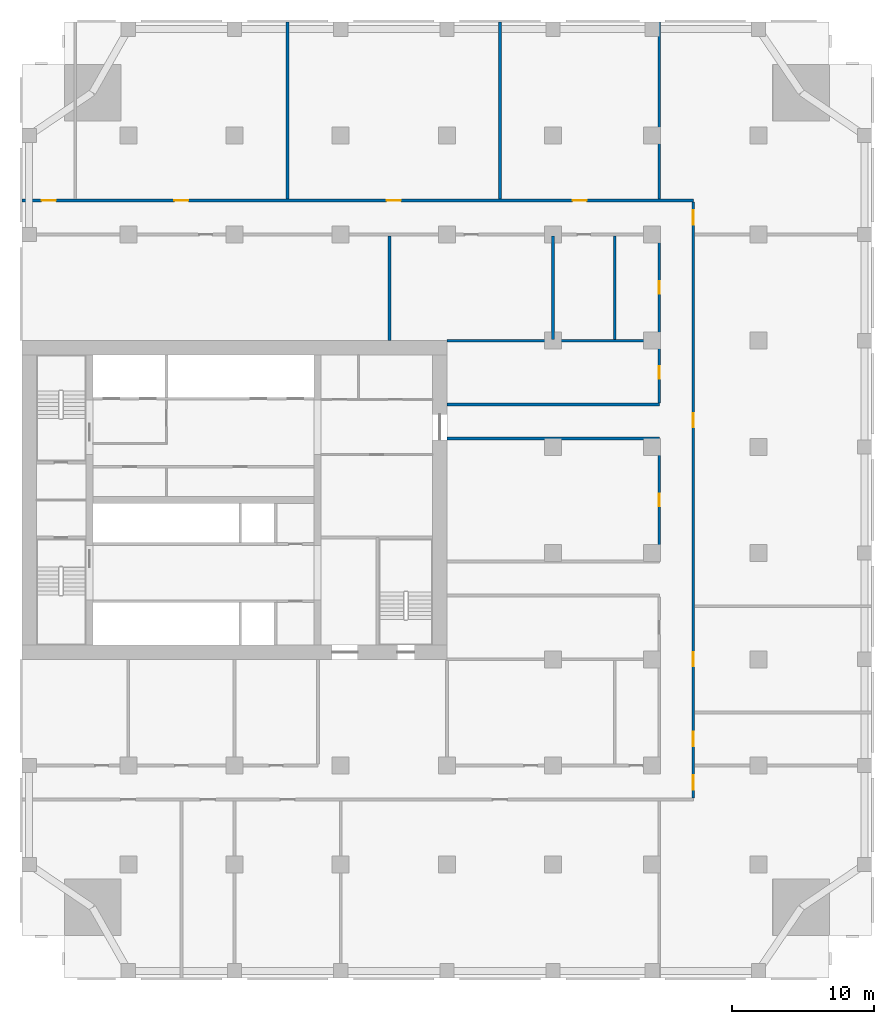
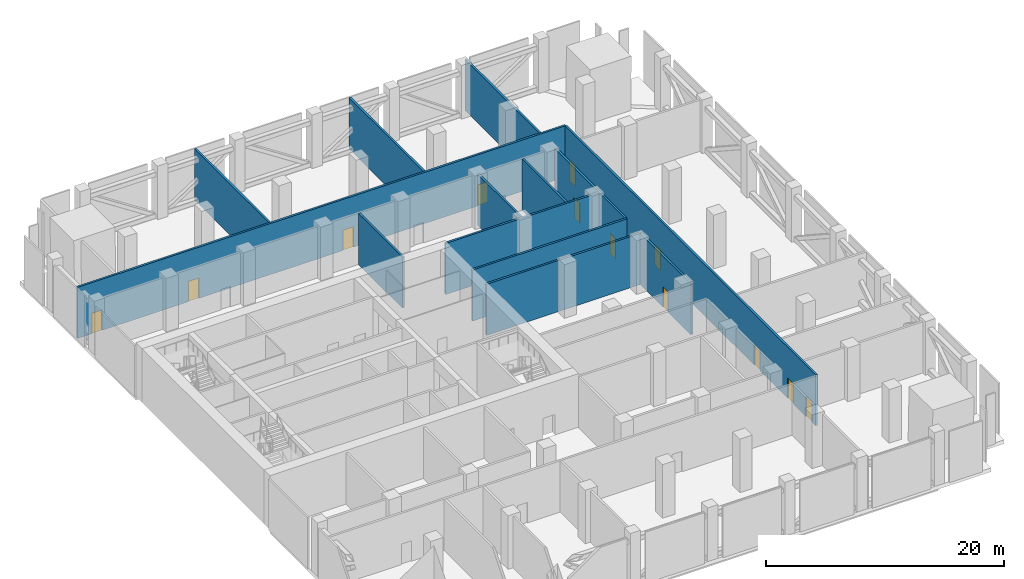
# One storey, part 5 of 10: 13 walls, 12 doors, 12 openings.
"""IFC4 building model written with IfcOpenShell, lengths in metres."""

from ifc_helpers import new_model, si_unit, direction, frame, frame_2d, origin, place, context, subcontext, project, spatial, rectangle, extrude, material, layer, layer_set, type_object, element, fill, save


model = new_model("IFC4")

# Units and contexts
model_context = context("Model", 3, precision=1e-05, world=origin(), true_north=direction((0.0, 1.0)))
body_context = subcontext(model_context, "Body", "Model", "MODEL_VIEW")
ifc_project = project(units=[si_unit("LENGTHUNIT", "METRE"), si_unit("AREAUNIT", "SQUARE_METRE"), si_unit("VOLUMEUNIT", "CUBIC_METRE"), si_unit("PLANEANGLEUNIT", "RADIAN"), si_unit("MASSUNIT", "GRAM", prefix="KILO")], contexts=[model_context])

# Site, building, storey
site_placement = place(None, origin())
site = spatial("IfcSite", under=ifc_project, at=site_placement, CompositionType="ELEMENT")
building_placement = place(site_placement, origin())
building = spatial("IfcBuilding", under=site, at=building_placement, Name="Tamorin Gate", CompositionType="ELEMENT")
storey_placement = place(building_placement, frame((0.0, 0.0, 73.60009765625)))
storey = spatial("IfcBuildingStorey", under=building, at=storey_placement, Name="L17", CompositionType="ELEMENT", Elevation=73.60009765625)

# Walls
ifc_material_1 = material(Name="Gypsum board partition")
ifc_layer = layer(ifc_material_1, 0.199951171875)
ifc_layer_set = layer_set([ifc_layer], Name="Plant and refuge wall 200")
wall_type = type_object("IfcWallType", Name="Plant and refuge wall 200", PredefinedType="PARTITIONING", material=ifc_layer_set)
for number, where, z_axis, x_axis, name in (
    (1, (60.0, 75.60009765625, 0.0), (0.0, 0.0, 1.0), (1.0, 0.0, 0.0), "Plant and refuge wall 200"),
    (2, (60.0, 78.0, 0.0), (0.0, 0.0, 1.0), (1.0, 0.0, 0.0), "Plant and refuge wall 200"),
):
    element("IfcWall", number, at=place(storey_placement, frame(where, z_axis=z_axis, x_axis=x_axis)), inside=storey, type_object=wall_type, Name=name, PredefinedType="PARTITIONING", context=body_context, shape_type="SweptSolid", body=[
        extrude(rectangle(XDim=15.0, YDim=0.199951171875, at=frame_2d((7.5, 0.0))), origin(), (0.0, 0.0, 1.0), 5.25),
    ])
wall_1_placement = place(storey_placement, frame((60.0, 82.5, 0.0), z_axis=(0.0, 0.0, 1.0), x_axis=(1.0, 0.0, 0.0)))
element("IfcWall", 3, at=wall_1_placement, inside=storey, type_object=wall_type, Name="Plant and refuge wall 200", PredefinedType="PARTITIONING", context=body_context, shape_type="SweptSolid", body=[
    extrude(rectangle(XDim=14.89990234375, YDim=0.199951171875, at=frame_2d((7.449951171875, 0.0))), origin(), (0.0, 0.0, 1.0), 5.25),
])

# Wall, openings, doors
wall_2_placement = place(storey_placement, frame((30.0, 92.39990234375, 0.0), z_axis=(0.0, 0.0, 1.0), x_axis=(1.0, 0.0, 0.0)))
wall_2 = element("IfcWall", 4, at=wall_2_placement, inside=storey, type_object=wall_type, Name="Plant and refuge wall 200", PredefinedType="PARTITIONING", context=body_context, shape_type="SweptSolid", body=[
    extrude(rectangle(XDim=47.39990234375, YDim=0.199951171875, at=frame_2d((23.699951171875, 0.0))), origin(), (0.0, 0.0, 1.0), 5.25),
])
opening_1_placement = place(wall_2_placement, frame((1.375, 0.0, 0.0)))
opening_1 = element("IfcOpeningElement", 5, at=opening_1_placement, cuts=wall_2, Name="Opening DPL1005", PredefinedType="OPENING", context=body_context, shape_type="SweptSolid", body=[
    extrude(rectangle(XDim=1.0, YDim=2.10009765625, at=frame_2d((0.5, 1.050048828125))), frame((0.0, 0.10986328125, 0.0), z_axis=(0.0, -1.0, 0.0), x_axis=(1.0, 0.0, 0.0)), (0.0, 0.0, 1.0), 0.219970703125),
])
opening_2_placement = place(wall_2_placement, frame((10.75, 0.0, 0.0)))
opening_2 = element("IfcOpeningElement", 6, at=opening_2_placement, cuts=wall_2, Name="Opening DPL1006", PredefinedType="OPENING", context=body_context, shape_type="SweptSolid", body=[
    extrude(rectangle(XDim=1.0, YDim=2.10009765625, at=frame_2d((0.5, 1.050048828125))), frame((0.0, 0.10986328125, 0.0), z_axis=(0.0, -1.0, 0.0), x_axis=(1.0, 0.0, 0.0)), (0.0, 0.0, 1.0), 0.219970703125),
])
opening_3_placement = place(wall_2_placement, frame((25.75, 0.0, 0.0)))
opening_3 = element("IfcOpeningElement", 7, at=opening_3_placement, cuts=wall_2, Name="Opening DPL1007", PredefinedType="OPENING", context=body_context, shape_type="SweptSolid", body=[
    extrude(rectangle(XDim=1.0, YDim=2.10009765625, at=frame_2d((0.5, 1.050048828125))), frame((0.0, 0.10986328125, 0.0), z_axis=(0.0, -1.0, 0.0), x_axis=(1.0, 0.0, 0.0)), (0.0, 0.0, 1.0), 0.219970703125),
])
opening_4_placement = place(wall_2_placement, frame((38.875, 0.0, 0.0)))
opening_4 = element("IfcOpeningElement", 8, at=opening_4_placement, cuts=wall_2, Name="Opening DPL1008", PredefinedType="OPENING", context=body_context, shape_type="SweptSolid", body=[
    extrude(rectangle(XDim=1.0, YDim=2.10009765625, at=frame_2d((0.5, 1.050048828125))), frame((0.0, 0.10986328125, 0.0), z_axis=(0.0, -1.0, 0.0), x_axis=(1.0, 0.0, 0.0)), (0.0, 0.0, 1.0), 0.219970703125),
])
ifc_material_2 = material(Name="Timber door leaf", Category="wood")
door_type_1 = type_object("IfcDoorType", Name="Door 1000 x 2100 FD60", OperationType="NOTDEFINED", PredefinedType="DOOR", material=ifc_material_2)
door_1_placement = place(opening_1_placement, origin())
door_1 = element("IfcDoor", 9, at=door_1_placement, inside=storey, type_object=door_type_1, Name="Door DPL1005", OperationType="SINGLE_SWING_LEFT", OverallHeight=2.10009765625, OverallWidth=1.0, PredefinedType="DOOR", context=body_context, shape_type="SweptSolid", body=[
    extrude(rectangle(XDim=1.0, YDim=2.10009765625, at=frame_2d((0.5, 1.050048828125))), frame((0.0, 0.02490234375, 0.0), z_axis=(0.0, -1.0, 0.0), x_axis=(1.0, 0.0, 0.0)), (0.0, 0.0, 1.0), 0.050048828125),
])
fill(opening_1, door_1)
door_2_placement = place(opening_2_placement, origin())
door_2 = element("IfcDoor", 10, at=door_2_placement, inside=storey, type_object=door_type_1, Name="Door DPL1006", OperationType="SINGLE_SWING_LEFT", OverallHeight=2.10009765625, OverallWidth=1.0, PredefinedType="DOOR", context=body_context, shape_type="SweptSolid", body=[
    extrude(rectangle(XDim=1.0, YDim=2.10009765625, at=frame_2d((0.5, 1.050048828125))), frame((0.0, 0.02490234375, 0.0), z_axis=(0.0, -1.0, 0.0), x_axis=(1.0, 0.0, 0.0)), (0.0, 0.0, 1.0), 0.050048828125),
])
fill(opening_2, door_2)
door_3_placement = place(opening_3_placement, origin())
door_3 = element("IfcDoor", 11, at=door_3_placement, inside=storey, type_object=door_type_1, Name="Door DPL1007", OperationType="SINGLE_SWING_LEFT", OverallHeight=2.10009765625, OverallWidth=1.0, PredefinedType="DOOR", context=body_context, shape_type="SweptSolid", body=[
    extrude(rectangle(XDim=1.0, YDim=2.10009765625, at=frame_2d((0.5, 1.050048828125))), frame((0.0, 0.02490234375, 0.0), z_axis=(0.0, -1.0, 0.0), x_axis=(1.0, 0.0, 0.0)), (0.0, 0.0, 1.0), 0.050048828125),
])
fill(opening_3, door_3)
door_4_placement = place(opening_4_placement, origin())
door_4 = element("IfcDoor", 12, at=door_4_placement, inside=storey, type_object=door_type_1, Name="Door DPL1008", OperationType="SINGLE_SWING_LEFT", OverallHeight=2.10009765625, OverallWidth=1.0, PredefinedType="DOOR", context=body_context, shape_type="SweptSolid", body=[
    extrude(rectangle(XDim=1.0, YDim=2.10009765625, at=frame_2d((0.5, 1.050048828125))), frame((0.0, 0.02490234375, 0.0), z_axis=(0.0, -1.0, 0.0), x_axis=(1.0, 0.0, 0.0)), (0.0, 0.0, 1.0), 0.050048828125),
])
fill(opening_4, door_4)

# Walls
wall_3_placement = place(storey_placement, frame((48.75, 92.5, 0.0), z_axis=(0.0, 0.0, 1.0), x_axis=(0.0, 1.0, 0.0)))
element("IfcWall", 13, at=wall_3_placement, inside=storey, type_object=wall_type, Name="Plant and refuge wall 200", PredefinedType="PARTITIONING", context=body_context, shape_type="SweptSolid", body=[
    extrude(rectangle(XDim=12.5, YDim=0.199951171875, at=frame_2d((6.25, 0.0))), origin(), (0.0, 0.0, 1.0), 5.25),
])
wall_4_placement = place(storey_placement, frame((55.949951171875, 82.5, 0.0), z_axis=(0.0, 0.0, 1.0), x_axis=(0.0, 1.0, 0.0)))
element("IfcWall", 14, at=wall_4_placement, inside=storey, type_object=wall_type, Name="Plant and refuge wall 200", PredefinedType="PARTITIONING", context=body_context, shape_type="SweptSolid", body=[
    extrude(rectangle(XDim=7.39990234375, YDim=0.199951171875, at=frame_2d((3.699951171875, 0.0))), origin(), (0.0, 0.0, 1.0), 5.25),
])
wall_5_placement = place(storey_placement, frame((63.75, 92.5, 0.0), z_axis=(0.0, 0.0, 1.0), x_axis=(0.0, 1.0, 0.0)))
element("IfcWall", 15, at=wall_5_placement, inside=storey, type_object=wall_type, Name="Plant and refuge wall 200", PredefinedType="PARTITIONING", context=body_context, shape_type="SweptSolid", body=[
    extrude(rectangle(XDim=12.5, YDim=0.199951171875, at=frame_2d((6.25, 0.0))), origin(), (0.0, 0.0, 1.0), 5.25),
])
for number, where, z_axis, x_axis, name in (
    (16, (67.5, 82.60009765625, 0.0), (0.0, 0.0, 1.0), (0.0, 1.0, 0.0), "Plant and refuge wall 200"),
    (17, (71.85009765625, 82.60009765625, 0.0), (0.0, 0.0, 1.0), (0.0, 1.0, 0.0), "Plant and refuge wall 200"),
):
    element("IfcWall", number, at=place(storey_placement, frame(where, z_axis=z_axis, x_axis=x_axis)), inside=storey, type_object=wall_type, Name=name, PredefinedType="PARTITIONING", context=body_context, shape_type="SweptSolid", body=[
        extrude(rectangle(XDim=7.2998046875, YDim=0.199951171875, at=frame_2d((3.64990234375, 0.0))), origin(), (0.0, 0.0, 1.0), 5.25),
    ])

# Wall, opening, door
wall_6_placement = place(storey_placement, frame((75.0, 67.0, 0.0), z_axis=(0.0, 0.0, 1.0), x_axis=(0.0, 1.0, 0.0)))
wall_6 = element("IfcWall", 18, at=wall_6_placement, inside=storey, type_object=wall_type, Name="Plant and refuge wall 200", PredefinedType="PARTITIONING", context=body_context, shape_type="SweptSolid", body=[
    extrude(rectangle(XDim=8.5, YDim=0.199951171875, at=frame_2d((4.25, 0.0))), origin(), (0.0, 0.0, 1.0), 5.25),
])
opening_5_placement = place(wall_6_placement, frame((3.800048828125, 0.0, 0.0)))
opening_5 = element("IfcOpeningElement", 19, at=opening_5_placement, cuts=wall_6, Name="Opening DPL1024", PredefinedType="OPENING", context=body_context, shape_type="SweptSolid", body=[
    extrude(rectangle(XDim=0.89990234375, YDim=2.10009765625, at=frame_2d((0.449951171875, 1.050048828125))), frame((0.0, 0.10986328125, 0.0), z_axis=(0.0, -1.0, 0.0), x_axis=(1.0, 0.0, 0.0)), (0.0, 0.0, 1.0), 0.219970703125),
])
door_type_2 = type_object("IfcDoorType", Name="Door 900 x 2100 FD60", OperationType="NOTDEFINED", PredefinedType="DOOR", material=ifc_material_2)
door_5_placement = place(opening_5_placement, origin())
door_5 = element("IfcDoor", 20, at=door_5_placement, inside=storey, type_object=door_type_2, Name="Door DPL1024", OperationType="SINGLE_SWING_LEFT", OverallHeight=2.10009765625, OverallWidth=0.89990234375, PredefinedType="DOOR", context=body_context, shape_type="SweptSolid", body=[
    extrude(rectangle(XDim=0.89990234375, YDim=2.10009765625, at=frame_2d((0.449951171875, 1.050048828125))), frame((0.0, 0.02490234375, 0.0), z_axis=(0.0, -1.0, 0.0), x_axis=(1.0, 0.0, 0.0)), (0.0, 0.0, 1.0), 0.050048828125),
])
fill(opening_5, door_5)

# Wall, openings, doors
wall_7_placement = place(storey_placement, frame((75.0, 78.10009765625, 0.0), z_axis=(0.0, 0.0, 1.0), x_axis=(0.0, 1.0, 0.0)))
wall_7 = element("IfcWall", 21, at=wall_7_placement, inside=storey, type_object=wall_type, Name="Plant and refuge wall 200", PredefinedType="PARTITIONING", context=body_context, shape_type="SweptSolid", body=[
    extrude(rectangle(XDim=11.7998046875, YDim=0.199951171875, at=frame_2d((5.89990234375, 0.0))), origin(), (0.0, 0.0, 1.0), 5.25),
])
opening_6_placement = place(wall_7_placement, frame((7.699951171875, 0.0, 0.0)))
opening_6 = element("IfcOpeningElement", 22, at=opening_6_placement, cuts=wall_7, Name="Opening DPL1022", PredefinedType="OPENING", context=body_context, shape_type="SweptSolid", body=[
    extrude(rectangle(XDim=0.89990234375, YDim=2.10009765625, at=frame_2d((0.449951171875, 1.050048828125))), frame((0.0, 0.10986328125, 0.0), z_axis=(0.0, -1.0, 0.0), x_axis=(1.0, 0.0, 0.0)), (0.0, 0.0, 1.0), 0.219970703125),
])
opening_7_placement = place(wall_7_placement, frame((1.699951171875, 0.0, 0.0)))
opening_7 = element("IfcOpeningElement", 23, at=opening_7_placement, cuts=wall_7, Name="Opening DPL1025", PredefinedType="OPENING", context=body_context, shape_type="SweptSolid", body=[
    extrude(rectangle(XDim=0.89990234375, YDim=2.10009765625, at=frame_2d((0.449951171875, 1.050048828125))), frame((0.0, 0.10986328125, 0.0), z_axis=(0.0, -1.0, 0.0), x_axis=(1.0, 0.0, 0.0)), (0.0, 0.0, 1.0), 0.219970703125),
])
door_type_3 = type_object("IfcDoorType", Name="Door 900 x 2100 FD30S", OperationType="NOTDEFINED", PredefinedType="DOOR", material=ifc_material_2)
door_6_placement = place(opening_6_placement, origin())
door_6 = element("IfcDoor", 24, at=door_6_placement, inside=storey, type_object=door_type_3, Name="Door DPL1022", OperationType="SINGLE_SWING_LEFT", OverallHeight=2.10009765625, OverallWidth=0.89990234375, PredefinedType="DOOR", context=body_context, shape_type="SweptSolid", body=[
    extrude(rectangle(XDim=0.89990234375, YDim=2.10009765625, at=frame_2d((0.449951171875, 1.050048828125))), frame((0.0, 0.02490234375, 0.0), z_axis=(0.0, -1.0, 0.0), x_axis=(1.0, 0.0, 0.0)), (0.0, 0.0, 1.0), 0.050048828125),
])
fill(opening_6, door_6)
door_7_placement = place(opening_7_placement, origin())
door_7 = element("IfcDoor", 25, at=door_7_placement, inside=storey, type_object=door_type_2, Name="Door DPL1025", OperationType="SINGLE_SWING_LEFT", OverallHeight=2.10009765625, OverallWidth=0.89990234375, PredefinedType="DOOR", context=body_context, shape_type="SweptSolid", body=[
    extrude(rectangle(XDim=0.89990234375, YDim=2.10009765625, at=frame_2d((0.449951171875, 1.050048828125))), frame((0.0, 0.02490234375, 0.0), z_axis=(0.0, -1.0, 0.0), x_axis=(1.0, 0.0, 0.0)), (0.0, 0.0, 1.0), 0.050048828125),
])
fill(opening_7, door_7)

# Wall
wall_8_placement = place(storey_placement, frame((75.0, 92.5, 0.0), z_axis=(0.0, 0.0, 1.0), x_axis=(0.0, 1.0, 0.0)))
element("IfcWall", 26, at=wall_8_placement, inside=storey, type_object=wall_type, Name="Plant and refuge wall 200", PredefinedType="PARTITIONING", context=body_context, shape_type="SweptSolid", body=[
    extrude(rectangle(XDim=12.5, YDim=0.199951171875, at=frame_2d((6.25, 0.0))), origin(), (0.0, 0.0, 1.0), 5.25),
])

# Wall, openings, doors
wall_9_placement = place(storey_placement, frame((77.39990234375, 50.199951171875, 0.0), z_axis=(0.0, 0.0, 1.0), x_axis=(0.0, 1.0, 0.0)))
wall_9 = element("IfcWall", 27, at=wall_9_placement, inside=storey, type_object=wall_type, Name="Plant and refuge wall 200", PredefinedType="PARTITIONING", context=body_context, shape_type="SweptSolid", body=[
    extrude(rectangle(XDim=42.10009765625, YDim=0.199951171875, at=frame_2d((21.050048828125, 0.0))), origin(), (0.0, 0.0, 1.0), 5.25),
])
opening_8_placement = place(wall_9_placement, frame((3.675048828125, 0.0, 0.0)))
opening_8 = element("IfcOpeningElement", 28, at=opening_8_placement, cuts=wall_9, Name="Opening DPL1009", PredefinedType="OPENING", context=body_context, shape_type="SweptSolid", body=[
    extrude(rectangle(XDim=1.0, YDim=2.10009765625, at=frame_2d((0.5, 1.050048828125))), frame((0.0, 0.10986328125, 0.0), z_axis=(0.0, -1.0, 0.0), x_axis=(1.0, 0.0, 0.0)), (0.0, 0.0, 1.0), 0.219970703125),
])
opening_9_placement = place(wall_9_placement, frame((9.300048828125, 0.0, 0.0)))
opening_9 = element("IfcOpeningElement", 29, at=opening_9_placement, cuts=wall_9, Name="Opening DPL1010", PredefinedType="OPENING", context=body_context, shape_type="SweptSolid", body=[
    extrude(rectangle(XDim=1.0, YDim=2.10009765625, at=frame_2d((0.5, 1.050048828125))), frame((0.0, 0.10986328125, 0.0), z_axis=(0.0, -1.0, 0.0), x_axis=(1.0, 0.0, 0.0)), (0.0, 0.0, 1.0), 0.219970703125),
])
opening_10_placement = place(wall_9_placement, frame((26.175048828125, 0.0, 0.0)))
opening_10 = element("IfcOpeningElement", 30, at=opening_10_placement, cuts=wall_9, Name="Opening DPL1011", PredefinedType="OPENING", context=body_context, shape_type="SweptSolid", body=[
    extrude(rectangle(XDim=1.0, YDim=2.10009765625, at=frame_2d((0.5, 1.050048828125))), frame((0.0, 0.10986328125, 0.0), z_axis=(0.0, -1.0, 0.0), x_axis=(1.0, 0.0, 0.0)), (0.0, 0.0, 1.0), 0.219970703125),
])
opening_11_placement = place(wall_9_placement, frame((0.60009765625, 0.0, 0.0)))
opening_11 = element("IfcOpeningElement", 31, at=opening_11_placement, cuts=wall_9, Name="Opening DPL1012", PredefinedType="OPENING", context=body_context, shape_type="SweptSolid", body=[
    extrude(rectangle(XDim=1.0, YDim=2.10009765625, at=frame_2d((0.5, 1.050048828125))), frame((0.0, 0.10986328125, 0.0), z_axis=(0.0, -1.0, 0.0), x_axis=(1.0, 0.0, 0.0)), (0.0, 0.0, 1.0), 0.219970703125),
])
opening_12_placement = place(wall_9_placement, frame((40.5, 0.0, 0.0)))
opening_12 = element("IfcOpeningElement", 32, at=opening_12_placement, cuts=wall_9, Name="Opening DPL1013", PredefinedType="OPENING", context=body_context, shape_type="SweptSolid", body=[
    extrude(rectangle(XDim=1.0, YDim=2.10009765625, at=frame_2d((0.5, 1.050048828125))), frame((0.0, 0.10986328125, 0.0), z_axis=(0.0, -1.0, 0.0), x_axis=(1.0, 0.0, 0.0)), (0.0, 0.0, 1.0), 0.219970703125),
])
door_type_4 = type_object("IfcDoorType", Name="Door 1000 x 2100 FD30S", OperationType="NOTDEFINED", PredefinedType="DOOR", material=ifc_material_2)
door_8_placement = place(opening_11_placement, origin())
door_8 = element("IfcDoor", 33, at=door_8_placement, inside=storey, type_object=door_type_4, Name="Door DPL1012", OperationType="SINGLE_SWING_LEFT", OverallHeight=2.10009765625, OverallWidth=1.0, PredefinedType="DOOR", context=body_context, shape_type="SweptSolid", body=[
    extrude(rectangle(XDim=1.0, YDim=2.10009765625, at=frame_2d((0.5, 1.050048828125))), frame((0.0, 0.02490234375, 0.0), z_axis=(0.0, -1.0, 0.0), x_axis=(1.0, 0.0, 0.0)), (0.0, 0.0, 1.0), 0.050048828125),
])
fill(opening_11, door_8)
door_9_placement = place(opening_12_placement, origin())
door_9 = element("IfcDoor", 34, at=door_9_placement, inside=storey, type_object=door_type_4, Name="Door DPL1013", OperationType="SINGLE_SWING_LEFT", OverallHeight=2.10009765625, OverallWidth=1.0, PredefinedType="DOOR", context=body_context, shape_type="SweptSolid", body=[
    extrude(rectangle(XDim=1.0, YDim=2.10009765625, at=frame_2d((0.5, 1.050048828125))), frame((0.0, 0.02490234375, 0.0), z_axis=(0.0, -1.0, 0.0), x_axis=(1.0, 0.0, 0.0)), (0.0, 0.0, 1.0), 0.050048828125),
])
fill(opening_12, door_9)
door_10_placement = place(opening_8_placement, origin())
door_10 = element("IfcDoor", 35, at=door_10_placement, inside=storey, type_object=door_type_1, Name="Door DPL1009", OperationType="SINGLE_SWING_RIGHT", OverallHeight=2.10009765625, OverallWidth=1.0, PredefinedType="DOOR", context=body_context, shape_type="SweptSolid", body=[
    extrude(rectangle(XDim=1.0, YDim=2.10009765625, at=frame_2d((0.5, 1.050048828125))), frame((0.0, 0.02490234375, 0.0), z_axis=(0.0, -1.0, 0.0), x_axis=(1.0, 0.0, 0.0)), (0.0, 0.0, 1.0), 0.050048828125),
])
fill(opening_8, door_10)
door_11_placement = place(opening_9_placement, origin())
door_11 = element("IfcDoor", 36, at=door_11_placement, inside=storey, type_object=door_type_1, Name="Door DPL1010", OperationType="SINGLE_SWING_RIGHT", OverallHeight=2.10009765625, OverallWidth=1.0, PredefinedType="DOOR", context=body_context, shape_type="SweptSolid", body=[
    extrude(rectangle(XDim=1.0, YDim=2.10009765625, at=frame_2d((0.5, 1.050048828125))), frame((0.0, 0.02490234375, 0.0), z_axis=(0.0, -1.0, 0.0), x_axis=(1.0, 0.0, 0.0)), (0.0, 0.0, 1.0), 0.050048828125),
])
fill(opening_9, door_11)
door_12_placement = place(opening_10_placement, origin())
door_12 = element("IfcDoor", 37, at=door_12_placement, inside=storey, type_object=door_type_1, Name="Door DPL1011", OperationType="SINGLE_SWING_RIGHT", OverallHeight=2.10009765625, OverallWidth=1.0, PredefinedType="DOOR", context=body_context, shape_type="SweptSolid", body=[
    extrude(rectangle(XDim=1.0, YDim=2.10009765625, at=frame_2d((0.5, 1.050048828125))), frame((0.0, 0.02490234375, 0.0), z_axis=(0.0, -1.0, 0.0), x_axis=(1.0, 0.0, 0.0)), (0.0, 0.0, 1.0), 0.050048828125),
])
fill(opening_10, door_12)

save(model, "model.ifc")
